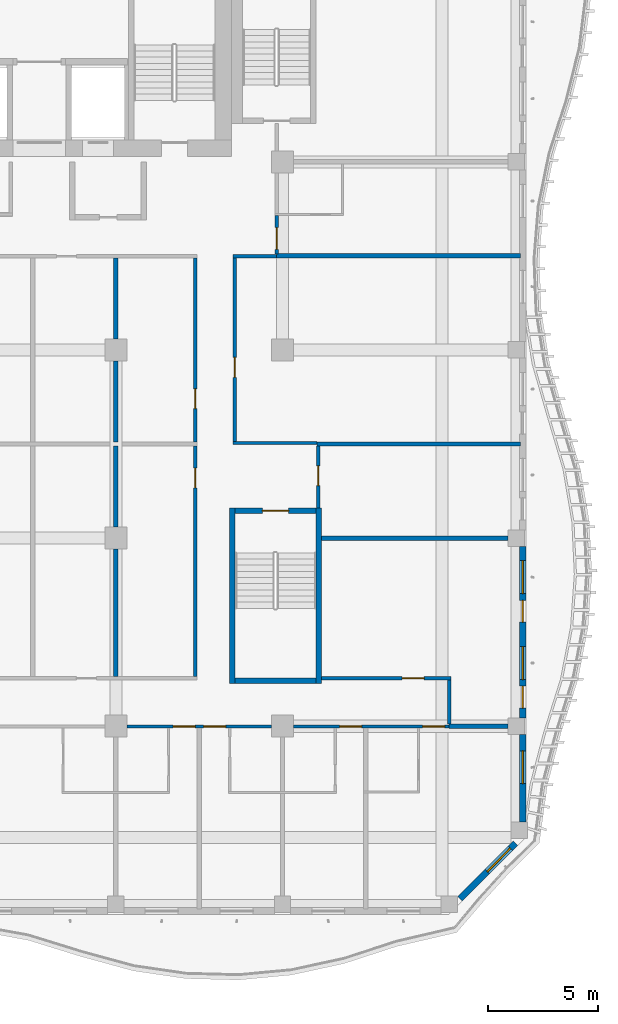
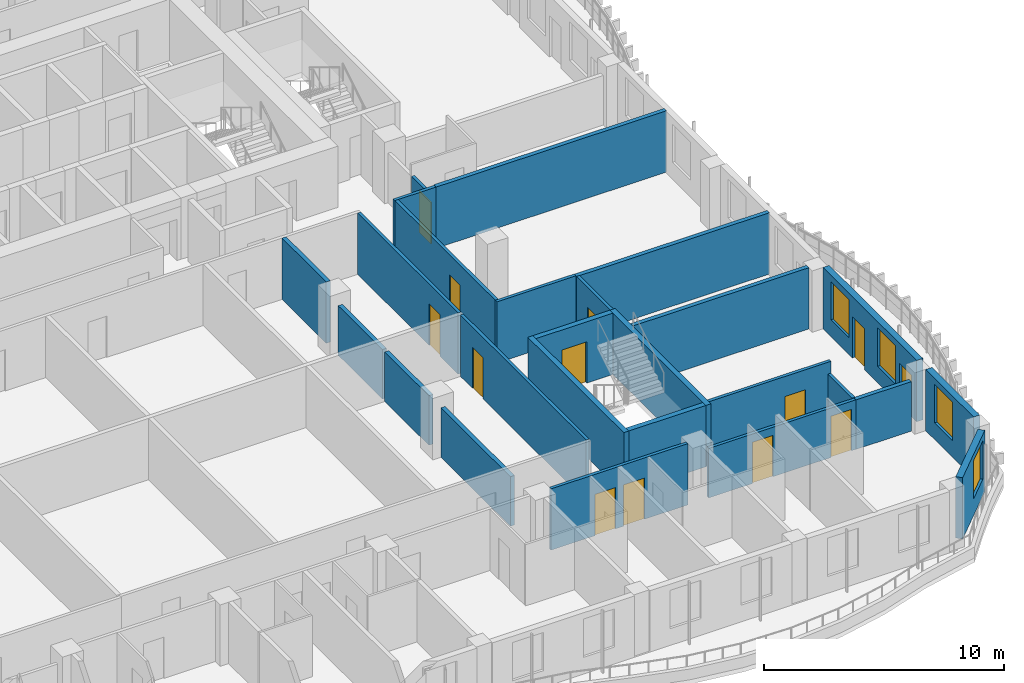
# One storey, part 5 of 22: 26 walls, 13 doors, 4 windows, 17 openings.
"""IFC4 building model written with IfcOpenShell, lengths in metres."""

from ifc_helpers import new_model, si_unit, direction, frame, frame_2d, origin, place, context, subcontext, project, spatial, rectangle, extrude, source, transform, mapped, material, layer, layer_set, type_object, element, fill, save


model = new_model("IFC4")

# Units and contexts
model_context = context("Model", 3, precision=1e-05, world=origin(), true_north=direction((0.0, 1.0)))
body_context = subcontext(model_context, "Body", "Model", "MODEL_VIEW")
ifc_project = project(units=[si_unit("LENGTHUNIT", "METRE"), si_unit("AREAUNIT", "SQUARE_METRE"), si_unit("VOLUMEUNIT", "CUBIC_METRE"), si_unit("PLANEANGLEUNIT", "RADIAN"), si_unit("MASSUNIT", "GRAM", prefix="KILO")], contexts=[model_context])

# Site, building, storey
site_placement = place(None, origin())
site = spatial("IfcSite", under=ifc_project, at=site_placement, CompositionType="ELEMENT")
building_placement = place(site_placement, origin())
building = spatial("IfcBuilding", under=site, at=building_placement, Name="Kilnfold Tower and Market Hall", CompositionType="ELEMENT")
storey_placement = place(building_placement, frame((0.0, 0.0, 213.5)))
storey = spatial("IfcBuildingStorey", under=building, at=storey_placement, Name="L52", CompositionType="ELEMENT", Elevation=213.5)

# Wall, openings, doors
ifc_material_1 = material(Name="Gypsum board on steel studs", Category="steel")
ifc_layer_1 = layer(ifc_material_1, 0.14990234375)
ifc_layer_set_1 = layer_set([ifc_layer_1], Name="Gypsum board on steel studs")
wall_type_1 = type_object("IfcWallType", Name="WALL CORRIDOR 150", PredefinedType="PARTITIONING", material=ifc_layer_set_1)
wall_1_placement = place(storey_placement, frame((13.0830078125, -17.699951171875, 0.0), z_axis=(0.0, 0.0, 1.0), x_axis=(1.0, 0.0, 0.0)))
wall_1 = element("IfcWall", 1, at=wall_1_placement, inside=storey, type_object=wall_type_1, Name="Partition LY31.5", PredefinedType="PARTITIONING", context=body_context, shape_type="SweptSolid", body=[
    extrude(rectangle(XDim=6.583984375, YDim=0.14990234375, at=frame_2d((3.2919921875, 0.0))), origin(), (0.0, 0.0, 1.0), 3.1201171875),
])
opening_1_placement = place(wall_1_placement, frame((2.10205078125, 0.0, 0.0)))
opening_1 = element("IfcOpeningElement", 2, at=opening_1_placement, cuts=wall_1, Name="Opening D1", PredefinedType="OPENING", context=body_context, shape_type="SweptSolid", body=[
    extrude(rectangle(XDim=1.0, YDim=2.10009765625, at=frame_2d((0.5, 1.050048828125))), frame((0.0, 0.0849609375, 0.0), z_axis=(0.0, -1.0, 0.0), x_axis=(1.0, 0.0, 0.0)), (0.0, 0.0, 1.0), 0.169921875),
])
opening_2_placement = place(wall_1_placement, frame((3.493896484375, 0.0, 0.0)))
opening_2 = element("IfcOpeningElement", 3, at=opening_2_placement, cuts=wall_1, Name="Opening D1", PredefinedType="OPENING", context=body_context, shape_type="SweptSolid", body=[
    extrude(rectangle(XDim=1.0, YDim=2.10009765625, at=frame_2d((0.5, 1.050048828125))), frame((0.0, 0.0849609375, 0.0), z_axis=(0.0, -1.0, 0.0), x_axis=(1.0, 0.0, 0.0)), (0.0, 0.0, 1.0), 0.169921875),
])
ifc_material_2 = material(Name="Timber veneer door leaf in steel frame", Category="steel")
door_type_1 = type_object("IfcDoorType", Name="DOOR ENTRY 1000 X2100", OperationType="NOTDEFINED", PredefinedType="DOOR", material=ifc_material_2)
door_1_placement = place(opening_1_placement, origin())
door_1 = element("IfcDoor", 4, at=door_1_placement, inside=storey, type_object=door_type_1, Name="Door D1", OperationType="SINGLE_SWING_RIGHT", OverallHeight=2.10009765625, OverallWidth=1.0, PredefinedType="DOOR", context=body_context, shape_type="SweptSolid", body=[
    extrude(rectangle(XDim=1.0, YDim=2.10009765625, at=frame_2d((0.5, 1.050048828125))), frame((0.0, 0.02490234375, 0.0), z_axis=(0.0, -1.0, 0.0), x_axis=(1.0, 0.0, 0.0)), (0.0, 0.0, 1.0), 0.050048828125),
])
fill(opening_1, door_1)
door_2_placement = place(opening_2_placement, origin())
door_2 = element("IfcDoor", 5, at=door_2_placement, inside=storey, type_object=door_type_1, Name="Door D1", OperationType="SINGLE_SWING_RIGHT", OverallHeight=2.10009765625, OverallWidth=1.0, PredefinedType="DOOR", context=body_context, shape_type="SweptSolid", body=[
    extrude(rectangle(XDim=1.0, YDim=2.10009765625, at=frame_2d((0.5, 1.050048828125))), frame((0.0, 0.02490234375, 0.0), z_axis=(0.0, -1.0, 0.0), x_axis=(1.0, 0.0, 0.0)), (0.0, 0.0, 1.0), 0.050048828125),
])
fill(opening_2, door_2)

wall_2_placement = place(storey_placement, frame((20.6669921875, -17.699951171875, 0.0), z_axis=(0.0, 0.0, 1.0), x_axis=(1.0, 0.0, 0.0)))
wall_2 = element("IfcWall", 6, at=wall_2_placement, inside=storey, type_object=wall_type_1, Name="Partition LY31.6", PredefinedType="PARTITIONING", context=body_context, shape_type="SweptSolid", body=[
    extrude(rectangle(XDim=7.0830078125, YDim=0.14990234375, at=frame_2d((3.54150390625, 0.0))), origin(), (0.0, 0.0, 1.0), 2.52001953125),
])
opening_3_placement = place(wall_2_placement, frame((2.10205078125, 0.0, 0.0)))
opening_3 = element("IfcOpeningElement", 7, at=opening_3_placement, cuts=wall_2, Name="Opening D1", PredefinedType="OPENING", context=body_context, shape_type="SweptSolid", body=[
    extrude(rectangle(XDim=1.0, YDim=2.10009765625, at=frame_2d((0.5, 1.050048828125))), frame((0.0, 0.0849609375, 0.0), z_axis=(0.0, -1.0, 0.0), x_axis=(1.0, 0.0, 0.0)), (0.0, 0.0, 1.0), 0.169921875),
])
opening_4_placement = place(wall_2_placement, frame((5.883056640625, 0.0, 0.0)))
opening_4 = element("IfcOpeningElement", 8, at=opening_4_placement, cuts=wall_2, Name="Opening D1", PredefinedType="OPENING", context=body_context, shape_type="SweptSolid", body=[
    extrude(rectangle(XDim=1.0, YDim=2.10009765625, at=frame_2d((0.5, 1.050048828125))), frame((0.0, 0.0849609375, 0.0), z_axis=(0.0, -1.0, 0.0), x_axis=(1.0, 0.0, 0.0)), (0.0, 0.0, 1.0), 0.169921875),
])
door_3_placement = place(opening_3_placement, origin())
door_3 = element("IfcDoor", 9, at=door_3_placement, inside=storey, type_object=door_type_1, Name="Door D1", OperationType="SINGLE_SWING_RIGHT", OverallHeight=2.10009765625, OverallWidth=1.0, PredefinedType="DOOR", context=body_context, shape_type="SweptSolid", body=[
    extrude(rectangle(XDim=1.0, YDim=2.10009765625, at=frame_2d((0.5, 1.050048828125))), frame((0.0, 0.02490234375, 0.0), z_axis=(0.0, -1.0, 0.0), x_axis=(1.0, 0.0, 0.0)), (0.0, 0.0, 1.0), 0.050048828125),
])
fill(opening_3, door_3)
door_4_placement = place(opening_4_placement, origin())
door_4 = element("IfcDoor", 10, at=door_4_placement, inside=storey, type_object=door_type_1, Name="Door D1", OperationType="SINGLE_SWING_RIGHT", OverallHeight=2.10009765625, OverallWidth=1.0, PredefinedType="DOOR", context=body_context, shape_type="SweptSolid", body=[
    extrude(rectangle(XDim=1.0, YDim=2.10009765625, at=frame_2d((0.5, 1.050048828125))), frame((0.0, 0.02490234375, 0.0), z_axis=(0.0, -1.0, 0.0), x_axis=(1.0, 0.0, 0.0)), (0.0, 0.0, 1.0), 0.050048828125),
])
fill(opening_4, door_4)

# Wall, opening, door
wall_3_placement = place(storey_placement, frame((19.89990234375, 3.80908203125, 0.0), z_axis=(0.0, 0.0, 1.0), x_axis=(0.0, 1.0, 0.0)))
wall_3 = element("IfcWall", 11, at=wall_3_placement, inside=storey, type_object=wall_type_1, Name="Partition LY31.18", PredefinedType="PARTITIONING", context=body_context, shape_type="SweptSolid", body=[
    extrude(rectangle(XDim=1.7509765625, YDim=0.14990234375, at=frame_2d((0.87548828125, 0.0))), origin(), (0.0, 0.0, 1.0), 2.52001953125),
])
opening_5_placement = place(wall_3_placement, frame((0.199951171875, 0.0, 0.0)))
opening_5 = element("IfcOpeningElement", 12, at=opening_5_placement, cuts=wall_3, Name="Opening D1", PredefinedType="OPENING", context=body_context, shape_type="SweptSolid", body=[
    extrude(rectangle(XDim=1.0, YDim=2.10009765625, at=frame_2d((0.5, 1.050048828125))), frame((0.0, 0.0849609375, 0.0), z_axis=(0.0, -1.0, 0.0), x_axis=(1.0, 0.0, 0.0)), (0.0, 0.0, 1.0), 0.169921875),
])
door_5_placement = place(opening_5_placement, origin())
door_5 = element("IfcDoor", 13, at=door_5_placement, inside=storey, type_object=door_type_1, Name="Door D1", OperationType="SINGLE_SWING_LEFT", OverallHeight=2.10009765625, OverallWidth=1.0, PredefinedType="DOOR", context=body_context, shape_type="SweptSolid", body=[
    extrude(rectangle(XDim=1.0, YDim=2.10009765625, at=frame_2d((0.5, 1.050048828125))), frame((0.0, 0.02490234375, 0.0), z_axis=(0.0, -1.0, 0.0), x_axis=(1.0, 0.0, 0.0)), (0.0, 0.0, 1.0), 0.050048828125),
])
fill(opening_5, door_5)

# Wall
wall_4_placement = place(storey_placement, frame((17.925048828125, 3.699951171875, 0.0), z_axis=(0.0, 0.0, 1.0), x_axis=(1.0, 0.0, 0.0)))
element("IfcWall", 14, at=wall_4_placement, inside=storey, type_object=wall_type_1, Name="Partition LY31.25", PredefinedType="PARTITIONING", context=body_context, shape_type="SweptSolid", body=[
    extrude(rectangle(XDim=1.974853515625, YDim=0.14990234375, at=frame_2d((0.9873046875, 0.0))), origin(), (0.0, 0.0, 1.0), 3.1201171875),
])

# Wall, opening, door
wall_5_placement = place(storey_placement, frame((18.0, -4.72509765625, 0.0), z_axis=(0.0, 0.0, 1.0), x_axis=(0.0, 1.0, 0.0)))
wall_5 = element("IfcWall", 15, at=wall_5_placement, inside=storey, type_object=wall_type_1, Name="Partition LY31.26", PredefinedType="PARTITIONING", context=body_context, shape_type="SweptSolid", body=[
    extrude(rectangle(XDim=8.35009765625, YDim=0.14990234375, at=frame_2d((4.175048828125, 0.0))), origin(), (0.0, 0.0, 1.0), 3.1201171875),
])
opening_6_placement = place(wall_5_placement, frame((2.9189453125, 0.0, 0.0)))
opening_6 = element("IfcOpeningElement", 16, at=opening_6_placement, cuts=wall_5, Name="Opening D2", PredefinedType="OPENING", context=body_context, shape_type="SweptSolid", body=[
    extrude(rectangle(XDim=0.89990234375, YDim=2.10009765625, at=frame_2d((0.449951171875, 1.050048828125))), frame((0.0, 0.0849609375, 0.0), z_axis=(0.0, -1.0, 0.0), x_axis=(1.0, 0.0, 0.0)), (0.0, 0.0, 1.0), 0.169921875),
])
ifc_material_3 = material(Name="Timber veneer door leaf in steel frame", Category="steel")
door_type_2 = type_object("IfcDoorType", Name="DOOR ROOM 900 X2100", OperationType="NOTDEFINED", PredefinedType="DOOR", material=ifc_material_3)
door_6_placement = place(opening_6_placement, origin())
door_6 = element("IfcDoor", 17, at=door_6_placement, inside=storey, type_object=door_type_2, Name="Door D2", OperationType="SINGLE_SWING_RIGHT", OverallHeight=2.10009765625, OverallWidth=0.89990234375, PredefinedType="DOOR", context=body_context, shape_type="SweptSolid", body=[
    extrude(rectangle(XDim=0.89990234375, YDim=2.10009765625, at=frame_2d((0.449951171875, 1.050048828125))), frame((0.0, 0.02490234375, 0.0), z_axis=(0.0, -1.0, 0.0), x_axis=(1.0, 0.0, 0.0)), (0.0, 0.0, 1.0), 0.050048828125),
])
fill(opening_6, door_6)

# Wall
wall_6_placement = place(storey_placement, frame((17.925048828125, -4.800048828125, 0.0), z_axis=(0.0, 0.0, 1.0), x_axis=(1.0, 0.0, 0.0)))
element("IfcWall", 18, at=wall_6_placement, inside=storey, type_object=wall_type_1, Name="Partition LY31.27", PredefinedType="PARTITIONING", context=body_context, shape_type="SweptSolid", body=[
    extrude(rectangle(XDim=3.802001953125, YDim=0.14990234375, at=frame_2d((1.90087890625, 0.0))), origin(), (0.0, 0.0, 1.0), 3.1201171875),
])

# Wall, opening, door
wall_7_placement = place(storey_placement, frame((21.800048828125, -7.75, 0.0), z_axis=(0.0, 0.0, 1.0), x_axis=(0.0, 1.0, 0.0)))
wall_7 = element("IfcWall", 19, at=wall_7_placement, inside=storey, type_object=wall_type_1, Name="Partition LY31.28", PredefinedType="PARTITIONING", context=body_context, shape_type="SweptSolid", body=[
    extrude(rectangle(XDim=2.81689453125, YDim=0.14990234375, at=frame_2d((1.408447265625, 0.0))), origin(), (0.0, 0.0, 1.0), 3.1201171875),
])
opening_7_placement = place(wall_7_placement, frame((1.009033203125, 0.0, 0.0)))
opening_7 = element("IfcOpeningElement", 20, at=opening_7_placement, cuts=wall_7, Name="Opening D2", PredefinedType="OPENING", context=body_context, shape_type="SweptSolid", body=[
    extrude(rectangle(XDim=0.89990234375, YDim=2.10009765625, at=frame_2d((0.449951171875, 1.050048828125))), frame((0.0, 0.0849609375, 0.0), z_axis=(0.0, -1.0, 0.0), x_axis=(1.0, 0.0, 0.0)), (0.0, 0.0, 1.0), 0.169921875),
])
door_7_placement = place(opening_7_placement, origin())
door_7 = element("IfcDoor", 21, at=door_7_placement, inside=storey, type_object=door_type_2, Name="Door D2", OperationType="SINGLE_SWING_LEFT", OverallHeight=2.10009765625, OverallWidth=0.89990234375, PredefinedType="DOOR", context=body_context, shape_type="SweptSolid", body=[
    extrude(rectangle(XDim=0.89990234375, YDim=2.10009765625, at=frame_2d((0.449951171875, 1.050048828125))), frame((0.0, 0.02490234375, 0.0), z_axis=(0.0, -1.0, 0.0), x_axis=(1.0, 0.0, 0.0)), (0.0, 0.0, 1.0), 0.050048828125),
])
fill(opening_7, door_7)

wall_8_placement = place(storey_placement, frame((21.949951171875, -15.5, 0.0), z_axis=(0.0, 0.0, 1.0), x_axis=(1.0, 0.0, 0.0)))
wall_8 = element("IfcWall", 22, at=wall_8_placement, inside=storey, type_object=wall_type_1, Name="Partition LY31.29", PredefinedType="PARTITIONING", context=body_context, shape_type="SweptSolid", body=[
    extrude(rectangle(XDim=5.875, YDim=0.14990234375, at=frame_2d((2.9375, 0.0))), origin(), (0.0, 0.0, 1.0), 3.1201171875),
])
opening_8_placement = place(wall_8_placement, frame((3.657958984375, 0.0, 0.0)))
opening_8 = element("IfcOpeningElement", 23, at=opening_8_placement, cuts=wall_8, Name="Opening D4", PredefinedType="OPENING", context=body_context, shape_type="SweptSolid", body=[
    extrude(rectangle(XDim=1.0, YDim=2.10009765625, at=frame_2d((0.5, 1.050048828125))), frame((0.0, 0.0849609375, 0.0), z_axis=(0.0, -1.0, 0.0), x_axis=(1.0, 0.0, 0.0)), (0.0, 0.0, 1.0), 0.169921875),
])
ifc_material_4 = material(Name="Timber veneer door leaf in steel frame", Category="steel")
door_type_3 = type_object("IfcDoorType", Name="DOOR SERVICE 1000 X2100", OperationType="NOTDEFINED", PredefinedType="DOOR", material=ifc_material_4)
door_8_placement = place(opening_8_placement, origin())
door_8 = element("IfcDoor", 24, at=door_8_placement, inside=storey, type_object=door_type_3, Name="Door D4", OperationType="SINGLE_SWING_LEFT", OverallHeight=2.10009765625, OverallWidth=1.0, PredefinedType="DOOR", context=body_context, shape_type="SweptSolid", body=[
    extrude(rectangle(XDim=1.0, YDim=2.10009765625, at=frame_2d((0.5, 1.050048828125))), frame((0.0, 0.02490234375, 0.0), z_axis=(0.0, -1.0, 0.0), x_axis=(1.0, 0.0, 0.0)), (0.0, 0.0, 1.0), 0.050048828125),
])
fill(opening_8, door_8)

# Wall
wall_9_placement = place(storey_placement, frame((27.75, -17.597900390625, 0.0), z_axis=(0.0, 0.0, 1.0), x_axis=(0.0, 1.0, 0.0)))
element("IfcWall", 25, at=wall_9_placement, inside=storey, type_object=wall_type_1, Name="Partition LY31.30", PredefinedType="PARTITIONING", context=body_context, shape_type="SweptSolid", body=[
    extrude(rectangle(XDim=2.02294921875, YDim=0.14990234375, at=frame_2d((1.011474609375, 0.0))), origin(), (0.0, 0.0, 1.0), 2.52001953125),
])

# Wall, opening, door
wall_10_placement = place(storey_placement, frame((16.199951171875, -4.7529296875, 0.0), z_axis=(0.0, 0.0, 1.0), x_axis=(0.0, 1.0, 0.0)))
wall_10 = element("IfcWall", 26, at=wall_10_placement, inside=storey, type_object=wall_type_1, Name="Partition LY31.37", PredefinedType="PARTITIONING", context=body_context, shape_type="SweptSolid", body=[
    extrude(rectangle(XDim=8.3779296875, YDim=0.14990234375, at=frame_2d((4.18896484375, 0.0))), origin(), (0.0, 0.0, 1.0), 3.1201171875),
])
opening_9_placement = place(wall_10_placement, frame((1.513916015625, 0.0, 0.0)))
opening_9 = element("IfcOpeningElement", 27, at=opening_9_placement, cuts=wall_10, Name="Opening D2", PredefinedType="OPENING", context=body_context, shape_type="SweptSolid", body=[
    extrude(rectangle(XDim=0.89990234375, YDim=2.10009765625, at=frame_2d((0.449951171875, 1.050048828125))), frame((0.0, 0.0849609375, 0.0), z_axis=(0.0, -1.0, 0.0), x_axis=(1.0, 0.0, 0.0)), (0.0, 0.0, 1.0), 0.169921875),
])
door_9_placement = place(opening_9_placement, origin())
door_9 = element("IfcDoor", 28, at=door_9_placement, inside=storey, type_object=door_type_2, Name="Door D2", OperationType="SINGLE_SWING_RIGHT", OverallHeight=2.10009765625, OverallWidth=0.89990234375, PredefinedType="DOOR", context=body_context, shape_type="SweptSolid", body=[
    extrude(rectangle(XDim=0.89990234375, YDim=2.10009765625, at=frame_2d((0.449951171875, 1.050048828125))), frame((0.0, 0.02490234375, 0.0), z_axis=(0.0, -1.0, 0.0), x_axis=(1.0, 0.0, 0.0)), (0.0, 0.0, 1.0), 0.050048828125),
])
fill(opening_9, door_9)

wall_11_placement = place(storey_placement, frame((16.199951171875, -15.425048828125, 0.0), z_axis=(0.0, 0.0, 1.0), x_axis=(0.0, 1.0, 0.0)))
wall_11 = element("IfcWall", 29, at=wall_11_placement, inside=storey, type_object=wall_type_1, Name="Partition LY31.41", PredefinedType="PARTITIONING", context=body_context, shape_type="SweptSolid", body=[
    extrude(rectangle(XDim=10.491943359375, YDim=0.14990234375, at=frame_2d((5.24609375, 0.0))), origin(), (0.0, 0.0, 1.0), 3.1201171875),
])
opening_10_placement = place(wall_11_placement, frame((8.583984375, 0.0, 0.0)))
opening_10 = element("IfcOpeningElement", 30, at=opening_10_placement, cuts=wall_11, Name="Opening D2", PredefinedType="OPENING", context=body_context, shape_type="SweptSolid", body=[
    extrude(rectangle(XDim=0.89990234375, YDim=2.10009765625, at=frame_2d((0.449951171875, 1.050048828125))), frame((0.0, 0.0849609375, 0.0), z_axis=(0.0, -1.0, 0.0), x_axis=(1.0, 0.0, 0.0)), (0.0, 0.0, 1.0), 0.169921875),
])
door_10_placement = place(opening_10_placement, origin())
door_10 = element("IfcDoor", 31, at=door_10_placement, inside=storey, type_object=door_type_2, Name="Door D2", OperationType="SINGLE_SWING_LEFT", OverallHeight=2.10009765625, OverallWidth=0.89990234375, PredefinedType="DOOR", context=body_context, shape_type="SweptSolid", body=[
    extrude(rectangle(XDim=0.89990234375, YDim=2.10009765625, at=frame_2d((0.449951171875, 1.050048828125))), frame((0.0, 0.02490234375, 0.0), z_axis=(0.0, -1.0, 0.0), x_axis=(1.0, 0.0, 0.0)), (0.0, 0.0, 1.0), 0.050048828125),
])
fill(opening_10, door_10)

# Walls
ifc_material_5 = material(Name="Gypsum board on steel studs", Category="steel")
ifc_layer_2 = layer(ifc_material_5, 0.199951171875)
ifc_layer_set_2 = layer_set([ifc_layer_2], Name="Gypsum board on steel studs")
wall_type_2 = type_object("IfcWallType", Name="WALL PARTY 200", PredefinedType="PARTITIONING", material=ifc_layer_set_2)
wall_12_placement = place(storey_placement, frame((27.751953125, -17.68798828125, 0.0), z_axis=(0.0, 0.0, 1.0), x_axis=(1.0, 0.0, 0.0)))
element("IfcWall", 32, at=wall_12_placement, inside=storey, type_object=wall_type_2, Name="Partition LY31.76", PredefinedType="PARTITIONING", context=body_context, shape_type="SweptSolid", body=[
    extrude(rectangle(XDim=2.673095703125, YDim=0.199951171875, at=frame_2d((1.33642578125, 0.0))), origin(), (0.0, 0.0, 1.0), 2.52001953125),
])
wall_13_placement = place(storey_placement, frame((19.902099609375, 3.718994140625, 0.0), z_axis=(0.0, 0.0, 1.0), x_axis=(1.0, 0.0, 0.0)))
element("IfcWall", 33, at=wall_13_placement, inside=storey, type_object=wall_type_2, Name="Partition LY31.87", PredefinedType="PARTITIONING", context=body_context, shape_type="SweptSolid", body=[
    extrude(rectangle(XDim=11.097900390625, YDim=0.199951171875, at=frame_2d((5.548828125, 0.0))), origin(), (0.0, 0.0, 1.0), 3.1201171875),
])
wall_14_placement = place(storey_placement, frame((21.72705078125, -4.843017578125, 0.0), z_axis=(0.0, 0.0, 1.0), x_axis=(1.0, 0.0, 0.0)))
element("IfcWall", 34, at=wall_14_placement, inside=storey, type_object=wall_type_2, Name="Partition LY31.93", PredefinedType="PARTITIONING", context=body_context, shape_type="SweptSolid", body=[
    extrude(rectangle(XDim=9.27294921875, YDim=0.199951171875, at=frame_2d((4.636474609375, 0.0))), origin(), (0.0, 0.0, 1.0), 3.1201171875),
])
wall_15_placement = place(storey_placement, frame((21.949951171875, -9.125, 0.0), z_axis=(0.0, 0.0, 1.0), x_axis=(1.0, 0.0, 0.0)))
element("IfcWall", 35, at=wall_15_placement, inside=storey, type_object=wall_type_2, Name="Partition LY31.94", PredefinedType="PARTITIONING", context=body_context, shape_type="SweptSolid", body=[
    extrude(rectangle(XDim=8.47509765625, YDim=0.199951171875, at=frame_2d((4.237548828125, 0.0))), origin(), (0.0, 0.0, 1.0), 3.1201171875),
])
wall_16_placement = place(storey_placement, frame((12.5830078125, -0.06201171875, 0.0), z_axis=(0.0, 0.0, 1.0), x_axis=(0.0, 1.0, 0.0)))
element("IfcWall", 36, at=wall_16_placement, inside=storey, type_object=wall_type_2, Name="Partition LY31.99", PredefinedType="PARTITIONING", context=body_context, shape_type="SweptSolid", body=[
    extrude(rectangle(XDim=3.68505859375, YDim=0.199951171875, at=frame_2d((1.842529296875, 0.0))), origin(), (0.0, 0.0, 1.0), 3.1201171875),
])
wall_17_placement = place(storey_placement, frame((12.5830078125, -4.742919921875, 0.0), z_axis=(0.0, 0.0, 1.0), x_axis=(0.0, 1.0, 0.0)))
element("IfcWall", 37, at=wall_17_placement, inside=storey, type_object=wall_type_2, Name="Partition LY31.100", PredefinedType="PARTITIONING", context=body_context, shape_type="SweptSolid", body=[
    extrude(rectangle(XDim=3.680908203125, YDim=0.199951171875, at=frame_2d((1.84033203125, 0.0))), origin(), (0.0, 0.0, 1.0), 2.52001953125),
])
wall_18_placement = place(storey_placement, frame((12.5830078125, -8.625, 0.0), z_axis=(0.0, 0.0, 1.0), x_axis=(0.0, 1.0, 0.0)))
element("IfcWall", 38, at=wall_18_placement, inside=storey, type_object=wall_type_2, Name="Partition LY31.104", PredefinedType="PARTITIONING", context=body_context, shape_type="SweptSolid", body=[
    extrude(rectangle(XDim=3.681884765625, YDim=0.199951171875, at=frame_2d((1.8408203125, 0.0))), origin(), (0.0, 0.0, 1.0), 2.52001953125),
])
wall_19_placement = place(storey_placement, frame((12.5830078125, -15.423095703125, 0.0), z_axis=(0.0, 0.0, 1.0), x_axis=(0.0, 1.0, 0.0)))
element("IfcWall", 39, at=wall_19_placement, inside=storey, type_object=wall_type_2, Name="Partition LY31.105", PredefinedType="PARTITIONING", context=body_context, shape_type="SweptSolid", body=[
    extrude(rectangle(XDim=5.798095703125, YDim=0.199951171875, at=frame_2d((2.89892578125, 0.0))), origin(), (0.0, 0.0, 1.0), 2.52001953125),
])
ifc_material_6 = material(Name="Concrete C60", Category="concrete")
ifc_layer_3 = layer(ifc_material_6, 0.25)
ifc_layer_set_3 = layer_set([ifc_layer_3], Name="Concrete C60")
wall_type_3 = type_object("IfcWallType", Name="CORE WALL 250 C60", PredefinedType="SHEAR", material=ifc_layer_set_3)
shared_shape_1 = source(origin(), body_context, "Body", "SweptSolid", [
    extrude(rectangle(XDim=3.699951171875, YDim=0.25, at=frame_2d((1.85009765625, 0.0))), origin(), (0.0, 0.0, 1.0), 3.1201171875),
])
wall_20_placement = place(storey_placement, frame((18.0, -15.625, 0.0), z_axis=(0.0, 0.0, 1.0), x_axis=(1.0, 0.0, 0.0)))
element("IfcWall", 40, at=wall_20_placement, inside=storey, type_object=wall_type_3, Name="Stair enclosure ST4", PredefinedType="SHEAR", context=body_context, shape_type="MappedRepresentation", body=[
    mapped(shared_shape_1, transform((0.0, 0.0, 0.0))),
])

# Wall, opening, door
wall_21_placement = place(storey_placement, frame((18.0, -7.875, 0.0), z_axis=(0.0, 0.0, 1.0), x_axis=(1.0, 0.0, 0.0)))
wall_21 = element("IfcWall", 41, at=wall_21_placement, inside=storey, type_object=wall_type_3, Name="Stair enclosure ST4", PredefinedType="SHEAR", context=body_context, shape_type="MappedRepresentation", body=[
    mapped(shared_shape_1, transform((0.0, 0.0, 0.0))),
])
opening_11_placement = place(wall_21_placement, frame((1.25, 0.0, 0.0)))
opening_11 = element("IfcOpeningElement", 42, at=opening_11_placement, cuts=wall_21, Name="Opening SD1", PredefinedType="OPENING", context=body_context, shape_type="SweptSolid", body=[
    extrude(rectangle(XDim=1.199951171875, YDim=2.10009765625, at=frame_2d((0.60009765625, 1.050048828125))), frame((0.0, 0.135009765625, 0.0), z_axis=(0.0, -1.0, 0.0), x_axis=(1.0, 0.0, 0.0)), (0.0, 0.0, 1.0), 0.27001953125),
])
ifc_material_7 = material(Name="Steel door set with fire-resisting leaf", Category="steel")
door_type_4 = type_object("IfcDoorType", Name="STAIR FLOOR DOOR 1200X2100", OperationType="NOTDEFINED", PredefinedType="DOOR", material=ifc_material_7)
door_11_placement = place(opening_11_placement, origin())
door_11 = element("IfcDoor", 43, at=door_11_placement, inside=storey, type_object=door_type_4, Name="Exit stair ST4 door", OperationType="DOUBLE_DOOR_SINGLE_SWING", OverallHeight=2.10009765625, OverallWidth=1.199951171875, PredefinedType="DOOR", context=body_context, shape_type="SweptSolid", body=[
    extrude(rectangle(XDim=1.199951171875, YDim=2.10009765625, at=frame_2d((0.60009765625, 1.050048828125))), frame((0.0, 0.02490234375, 0.0), z_axis=(0.0, -1.0, 0.0), x_axis=(1.0, 0.0, 0.0)), (0.0, 0.0, 1.0), 0.050048828125),
])
fill(opening_11, door_11)

# Walls
shared_shape_2 = source(origin(), body_context, "Body", "SweptSolid", [
    extrude(rectangle(XDim=8.0, YDim=0.25, at=frame_2d((4.0, 0.0))), origin(), (0.0, 0.0, 1.0), 3.1201171875),
])
for number, where, z_axis, x_axis, name in (
    (44, (17.875, -15.75, 0.0), (0.0, 0.0, 1.0), (0.0, 1.0, 0.0), "Stair enclosure ST4"),
    (45, (21.824951171875, -15.75, 0.0), (0.0, 0.0, 1.0), (0.0, 1.0, 0.0), "Stair enclosure ST4"),
):
    element("IfcWall", number, at=place(storey_placement, frame(where, z_axis=z_axis, x_axis=x_axis)), inside=storey, type_object=wall_type_3, Name=name, PredefinedType="SHEAR", context=body_context, shape_type="MappedRepresentation", body=[
        mapped(shared_shape_2, transform((0.0, 0.0, 0.0))),
    ])

# Wall, opening, window
ifc_material_8 = material(Name="Precast concrete C50/60", Category="concrete")
ifc_layer_4 = layer(ifc_material_8, 0.300048828125)
ifc_layer_set_4 = layer_set([ifc_layer_4], Name="Precast concrete C50/60")
wall_type_4 = type_object("IfcWallType", Name="PRECAST WALL 300", PredefinedType="SOLIDWALL", material=ifc_layer_set_4)
shared_shape_3 = source(origin(), body_context, "Body", "SweptSolid", [
    extrude(rectangle(XDim=3.571044921875, YDim=0.300048828125, at=frame_2d((1.78564453125, 0.0))), origin(), (0.0, 0.0, 1.0), 3.1201171875),
])
wall_22_placement = place(storey_placement, frame((28.243896484375, -25.5439453125, 0.0), z_axis=(0.0, 0.0, 1.0), x_axis=(0.707072595841, 0.707140964879, 0.0)))
wall_22 = element("IfcWall", 46, at=wall_22_placement, inside=storey, type_object=wall_type_4, Name="External wall L52 SE", PredefinedType="SOLIDWALL", context=body_context, shape_type="MappedRepresentation", body=[
    mapped(shared_shape_3, transform((0.0, 0.0, 0.0))),
])
opening_12_placement = place(wall_22_placement, frame((1.75, 0.0, 0.85009765625)))
opening_12 = element("IfcOpeningElement", 47, at=opening_12_placement, cuts=wall_22, Name="Opening W4", PredefinedType="OPENING", context=body_context, shape_type="SweptSolid", body=[
    extrude(rectangle(XDim=1.5, YDim=1.949951171875, at=frame_2d((0.75, 0.97509765625))), frame((0.0, 0.16015625, 0.0), z_axis=(0.0, -1.0, 0.0), x_axis=(1.0, 0.0, 0.0)), (0.0, 0.0, 1.0), 0.320068359375),
])
ifc_material_9 = material(Name="Aluminium frame and double glazing", Category="aluminium")
window_type = type_object("IfcWindowType", Name="WINDOW W4 1500X1950", PartitioningType="SINGLE_PANEL", PredefinedType="WINDOW", material=ifc_material_9)
window_1_placement = place(opening_12_placement, origin())
window_1 = element("IfcWindow", 48, at=window_1_placement, inside=storey, type_object=window_type, Name="Window W4 L52 SE-1", OverallHeight=1.949951171875, OverallWidth=1.5, PartitioningType="SINGLE_PANEL", PredefinedType="WINDOW", context=body_context, shape_type="SweptSolid", body=[
    extrude(rectangle(XDim=1.5, YDim=1.949951171875, at=frame_2d((0.75, 0.97509765625))), frame((0.0, 0.030029296875, 0.0), z_axis=(0.0, -1.0, 0.0), x_axis=(1.0, 0.0, 0.0)), (0.0, 0.0, 1.0), 0.06005859375),
])
fill(opening_12, window_1)

shared_shape_4 = source(origin(), body_context, "Body", "SweptSolid", [
    extrude(rectangle(XDim=3.994384765625, YDim=0.300048828125, at=frame_2d((1.9970703125, 0.0))), origin(), (0.0, 0.0, 1.0), 3.1201171875),
])
wall_23_placement = place(storey_placement, frame((31.10009765625, -22.056884765625, 0.0), z_axis=(0.0, 0.0, 1.0), x_axis=(0.0, 1.0, 0.0)))
wall_23 = element("IfcWall", 49, at=wall_23_placement, inside=storey, type_object=wall_type_4, Name="External wall L52 E", PredefinedType="SOLIDWALL", context=body_context, shape_type="MappedRepresentation", body=[
    mapped(shared_shape_4, transform((0.0, 0.0, 0.0))),
])
opening_13_placement = place(wall_23_placement, frame((1.75, 0.0, 0.85009765625)))
opening_13 = element("IfcOpeningElement", 50, at=opening_13_placement, cuts=wall_23, Name="Opening W4", PredefinedType="OPENING", context=body_context, shape_type="SweptSolid", body=[
    extrude(rectangle(XDim=1.5, YDim=1.949951171875, at=frame_2d((0.75, 0.97509765625))), frame((0.0, 0.16015625, 0.0), z_axis=(0.0, -1.0, 0.0), x_axis=(1.0, 0.0, 0.0)), (0.0, 0.0, 1.0), 0.320068359375),
])
window_2_placement = place(opening_13_placement, origin())
window_2 = element("IfcWindow", 51, at=window_2_placement, inside=storey, type_object=window_type, Name="Window W4 L52 E-1", OverallHeight=1.949951171875, OverallWidth=1.5, PartitioningType="SINGLE_PANEL", PredefinedType="WINDOW", context=body_context, shape_type="SweptSolid", body=[
    extrude(rectangle(XDim=1.5, YDim=1.949951171875, at=frame_2d((0.75, 0.97509765625))), frame((0.0, 0.030029296875, 0.0), z_axis=(0.0, -1.0, 0.0), x_axis=(1.0, 0.0, 0.0)), (0.0, 0.0, 1.0), 0.06005859375),
])
fill(opening_13, window_2)

# Wall, openings, doors, windows
shared_shape_5 = source(origin(), body_context, "Body", "SweptSolid", [
    extrude(rectangle(XDim=7.8125, YDim=0.300048828125, at=frame_2d((3.90625, 0.0))), origin(), (0.0, 0.0, 1.0), 3.1201171875),
])
wall_24_placement = place(storey_placement, frame((31.10009765625, -17.3125, 0.0), z_axis=(0.0, 0.0, 1.0), x_axis=(0.0, 1.0, 0.0)))
wall_24 = element("IfcWall", 52, at=wall_24_placement, inside=storey, type_object=wall_type_4, Name="External wall L52 E", PredefinedType="SOLIDWALL", context=body_context, shape_type="MappedRepresentation", body=[
    mapped(shared_shape_5, transform((0.0, 0.0, 0.0))),
])
opening_14_placement = place(wall_24_placement, frame((1.75, 0.0, 0.85009765625)))
opening_14 = element("IfcOpeningElement", 53, at=opening_14_placement, cuts=wall_24, Name="Opening W4", PredefinedType="OPENING", context=body_context, shape_type="SweptSolid", body=[
    extrude(rectangle(XDim=1.5, YDim=1.949951171875, at=frame_2d((0.75, 0.97509765625))), frame((0.0, 0.16015625, 0.0), z_axis=(0.0, -1.0, 0.0), x_axis=(1.0, 0.0, 0.0)), (0.0, 0.0, 1.0), 0.320068359375),
])
opening_15_placement = place(wall_24_placement, frame((0.449951171875, 0.0, 0.0)))
opening_15 = element("IfcOpeningElement", 54, at=opening_15_placement, cuts=wall_24, Name="Opening BD1", PredefinedType="OPENING", context=body_context, shape_type="SweptSolid", body=[
    extrude(rectangle(XDim=1.0, YDim=2.10009765625, at=frame_2d((0.5, 1.050048828125))), frame((0.0, 0.16015625, 0.0), z_axis=(0.0, -1.0, 0.0), x_axis=(1.0, 0.0, 0.0)), (0.0, 0.0, 1.0), 0.320068359375),
])
opening_16_placement = place(wall_24_placement, frame((5.65625, 0.0, 0.85009765625)))
opening_16 = element("IfcOpeningElement", 55, at=opening_16_placement, cuts=wall_24, Name="Opening W4", PredefinedType="OPENING", context=body_context, shape_type="SweptSolid", body=[
    extrude(rectangle(XDim=1.5, YDim=1.949951171875, at=frame_2d((0.75, 0.97509765625))), frame((0.0, 0.16015625, 0.0), z_axis=(0.0, -1.0, 0.0), x_axis=(1.0, 0.0, 0.0)), (0.0, 0.0, 1.0), 0.320068359375),
])
opening_17_placement = place(wall_24_placement, frame((4.356201171875, 0.0, 0.0)))
opening_17 = element("IfcOpeningElement", 56, at=opening_17_placement, cuts=wall_24, Name="Opening BD1", PredefinedType="OPENING", context=body_context, shape_type="SweptSolid", body=[
    extrude(rectangle(XDim=1.0, YDim=2.10009765625, at=frame_2d((0.5, 1.050048828125))), frame((0.0, 0.16015625, 0.0), z_axis=(0.0, -1.0, 0.0), x_axis=(1.0, 0.0, 0.0)), (0.0, 0.0, 1.0), 0.320068359375),
])
ifc_material_10 = material(Name="Aluminium frame and double glazing", Category="aluminium")
door_type_5 = type_object("IfcDoorType", Name="BALCONY DOOR 1000X2100", OperationType="NOTDEFINED", PredefinedType="DOOR", material=ifc_material_10)
door_12_placement = place(opening_15_placement, origin())
door_12 = element("IfcDoor", 57, at=door_12_placement, inside=storey, type_object=door_type_5, Name="Balcony door BD1 L52 E-1", OperationType="SINGLE_SWING_LEFT", OverallHeight=2.10009765625, OverallWidth=1.0, PredefinedType="DOOR", context=body_context, shape_type="SweptSolid", body=[
    extrude(rectangle(XDim=1.0, YDim=2.10009765625, at=frame_2d((0.5, 1.050048828125))), frame((0.0, 0.02490234375, 0.0), z_axis=(0.0, -1.0, 0.0), x_axis=(1.0, 0.0, 0.0)), (0.0, 0.0, 1.0), 0.050048828125),
])
fill(opening_15, door_12)
door_13_placement = place(opening_17_placement, origin())
door_13 = element("IfcDoor", 58, at=door_13_placement, inside=storey, type_object=door_type_5, Name="Balcony door BD1 L52 E-2", OperationType="SINGLE_SWING_RIGHT", OverallHeight=2.10009765625, OverallWidth=1.0, PredefinedType="DOOR", context=body_context, shape_type="SweptSolid", body=[
    extrude(rectangle(XDim=1.0, YDim=2.10009765625, at=frame_2d((0.5, 1.050048828125))), frame((0.0, 0.02490234375, 0.0), z_axis=(0.0, -1.0, 0.0), x_axis=(1.0, 0.0, 0.0)), (0.0, 0.0, 1.0), 0.050048828125),
])
fill(opening_17, door_13)
window_3_placement = place(opening_14_placement, origin())
window_3 = element("IfcWindow", 59, at=window_3_placement, inside=storey, type_object=window_type, Name="Window W4 L52 E-1", OverallHeight=1.949951171875, OverallWidth=1.5, PartitioningType="SINGLE_PANEL", PredefinedType="WINDOW", context=body_context, shape_type="SweptSolid", body=[
    extrude(rectangle(XDim=1.5, YDim=1.949951171875, at=frame_2d((0.75, 0.97509765625))), frame((0.0, 0.030029296875, 0.0), z_axis=(0.0, -1.0, 0.0), x_axis=(1.0, 0.0, 0.0)), (0.0, 0.0, 1.0), 0.06005859375),
])
fill(opening_14, window_3)
window_4_placement = place(opening_16_placement, origin())
window_4 = element("IfcWindow", 60, at=window_4_placement, inside=storey, type_object=window_type, Name="Window W4 L52 E-2", OverallHeight=1.949951171875, OverallWidth=1.5, PartitioningType="SINGLE_PANEL", PredefinedType="WINDOW", context=body_context, shape_type="SweptSolid", body=[
    extrude(rectangle(XDim=1.5, YDim=1.949951171875, at=frame_2d((0.75, 0.97509765625))), frame((0.0, 0.030029296875, 0.0), z_axis=(0.0, -1.0, 0.0), x_axis=(1.0, 0.0, 0.0)), (0.0, 0.0, 1.0), 0.06005859375),
])
fill(opening_16, window_4)

save(model, "model.ifc")
